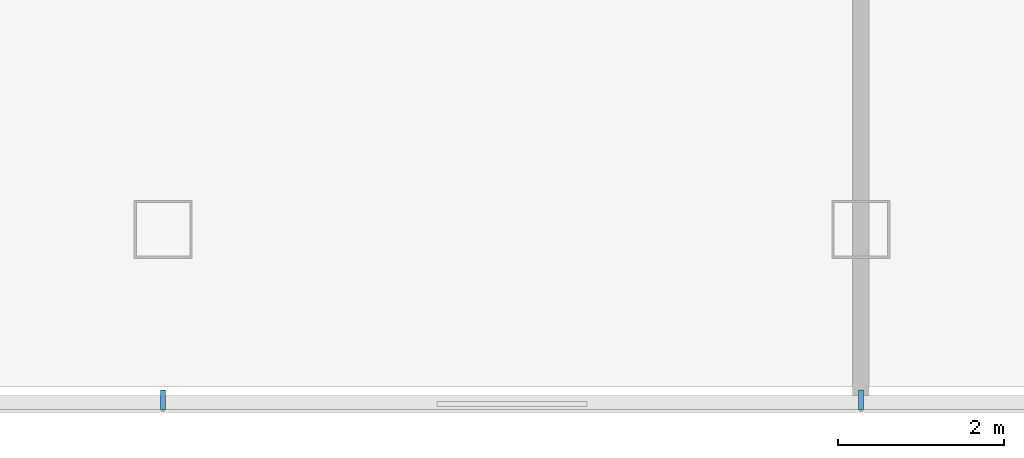
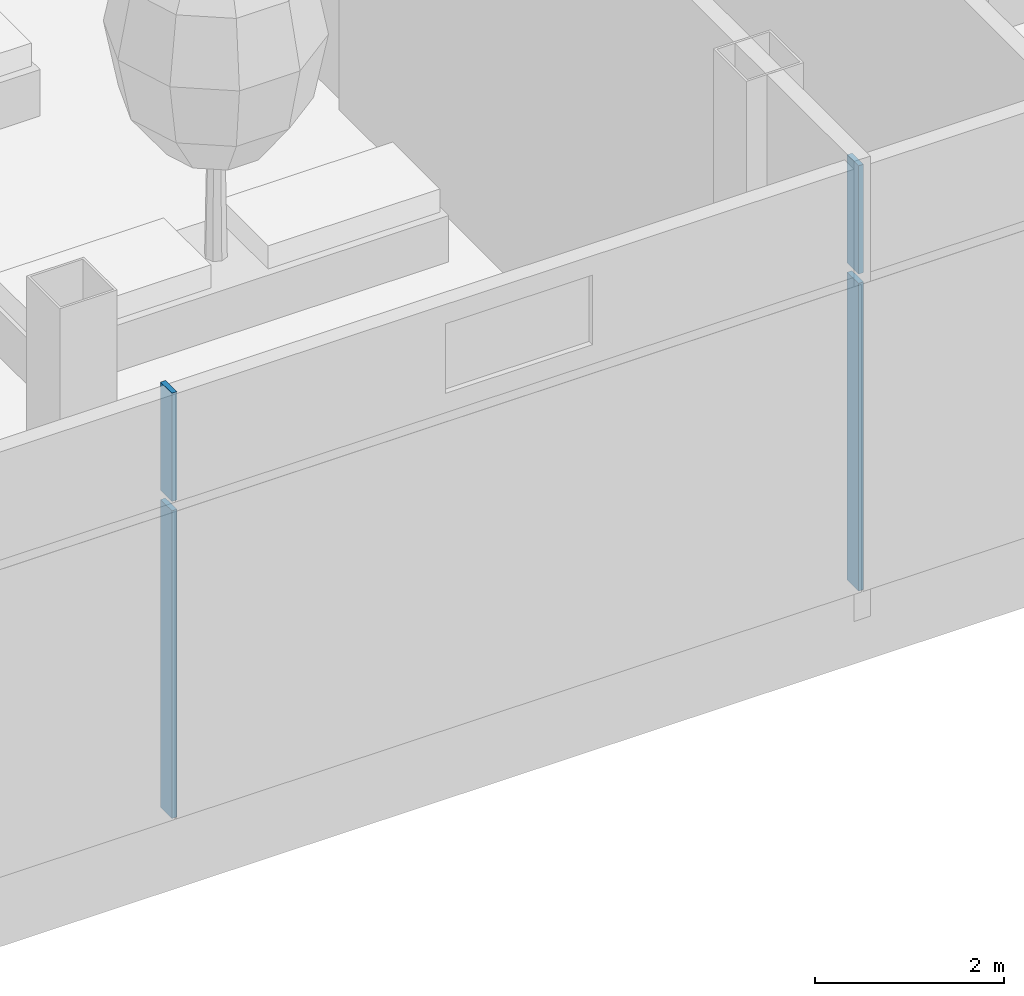
# One storey, part 5 of 43: 4 members, 1 element without a shape of its own.
"""IFC4 building model written with IfcOpenShell, lengths in metres."""

import ifcopenshell
import ifcopenshell.guid

model = None  # the IFC model being written
_history = None  # IfcOwnerHistory: only IFC2X3 demands one
_inside = {}  # id of a spatial element -> (the spatial element, [elements in it])
_under = {}  # id of a project, library or spatial element -> (it, [spatial elements below it])
_declared = {}  # id of a project -> (the project, [libraries it declares])
_typed = {}  # id of a type object -> (the type object, [elements of that type])
_made_of = {}  # id of a material, layer set ... -> (it, [elements and type objects made of it])


def new_model(schema):
    """Start an empty IFC model of exactly this schema.

    Asked for "IFC4X3", IfcOpenShell would pick the latest addendum, in which some entities
    have other attributes; the version numbers below select the first issue.
    IFC2X3 requires an IfcOwnerHistory on every rooted entity: one is made here for all.
    """
    global model, _history
    if schema == "IFC4X3":
        model = ifcopenshell.file(schema_version=(4, 3, 0, 0))
    else:
        model = ifcopenshell.file(schema=schema)
    _inside.clear()
    _under.clear()
    _declared.clear()
    _typed.clear()
    _made_of.clear()
    _history = None
    if model.schema == "IFC2X3":
        org = make("IfcOrganization", Name="unknown")
        user = make(
            "IfcPersonAndOrganization",
            ThePerson=make("IfcPerson", FamilyName="unknown"),
            TheOrganization=org,
        )
        app = make(
            "IfcApplication",
            ApplicationDeveloper=org,
            Version="unknown",
            ApplicationFullName="unknown",
            ApplicationIdentifier="unknown",
        )
        _history = make(
            "IfcOwnerHistory",
            OwningUser=user,
            OwningApplication=app,
            ChangeAction="ADDED",
            CreationDate=0,
        )
    return model


def make(cls, **values):
    """One entity of the class cls with the attributes given. An attribute that is None is left unset."""
    return model.create_entity(
        cls, **{name: value for name, value in values.items() if value is not None}
    )


def rooted(cls, **values):
    """An entity with a GlobalId (a new one), such as an element, a storey or a relation."""
    return make(cls, GlobalId=ifcopenshell.guid.new(), OwnerHistory=_history, **values)


def si_unit(unit_type, name, prefix=None):
    """IfcSIUnit, for example si_unit("LENGTHUNIT", "METRE", prefix="MILLI")."""
    return make("IfcSIUnit", UnitType=unit_type, Prefix=prefix, Name=name)


def assignment(units):
    """IfcUnitAssignment: the units of a project."""
    return None if units is None else make("IfcUnitAssignment", Units=units)


def point(xyz):
    """IfcCartesianPoint."""
    return None if xyz is None else make("IfcCartesianPoint", Coordinates=xyz)


def direction(xyz):
    """IfcDirection."""
    return None if xyz is None else make("IfcDirection", DirectionRatios=xyz)


def frame(location, z_axis=None, x_axis=None):
    """IfcAxis2Placement3D, a coordinate frame: its origin and axes. An axis left out is left unset."""
    return make(
        "IfcAxis2Placement3D",
        Location=point(location),
        Axis=direction(z_axis),
        RefDirection=direction(x_axis),
    )


def frame_2d(location, x_axis=None):
    """IfcAxis2Placement2D, a coordinate frame in the plane: its origin and x axis."""
    return make(
        "IfcAxis2Placement2D", Location=point(location), RefDirection=direction(x_axis)
    )


def origin():
    """The frame at (0, 0, 0) with its axes left unset."""
    return frame((0.0, 0.0, 0.0))


def origin_2d():
    """The frame at (0, 0) in the plane with its x axis left unset."""
    return frame_2d((0.0, 0.0))


def place(relative_to, where):
    """IfcLocalPlacement: puts the frame where relative to a parent placement (None: the world)."""
    return make(
        "IfcLocalPlacement", PlacementRelTo=relative_to, RelativePlacement=where
    )


def context(
    kind, dimensions, precision=None, world=None, true_north=None, identifier=None
):
    """IfcGeometricRepresentationContext, for example the 3D "Model" context."""
    return make(
        "IfcGeometricRepresentationContext",
        ContextIdentifier=identifier,
        ContextType=kind,
        CoordinateSpaceDimension=dimensions,
        Precision=precision,
        WorldCoordinateSystem=world,
        TrueNorth=true_north,
    )


def subcontext(parent, identifier, kind, view, scale=None):
    """IfcGeometricRepresentationSubContext, for example "Body" below "Model"."""
    return make(
        "IfcGeometricRepresentationSubContext",
        ContextIdentifier=identifier,
        ContextType=kind,
        ParentContext=parent,
        TargetScale=scale,
        TargetView=view,
    )


def project(units=None, contexts=None):
    """IfcProject with its units and contexts."""
    return rooted(
        "IfcProject",
        Name="project",
        RepresentationContexts=contexts,
        UnitsInContext=assignment(units),
    )


def spatial(cls, under=None, at=None, **own):
    """A site, building, storey or space (cls), placed at a placement, below another one or the project."""
    s = rooted(cls, ObjectPlacement=at, **own)
    if under is not None:
        _under.setdefault(under.id(), (under, []))[1].append(s)
    return s


def profile(cls, at=None, kind="AREA", **sizes):
    """A parametric profile (cls). Its sizes go by their IFC names, for example OverallWidth=200.0."""
    return make(cls, ProfileType=kind, Position=at, **sizes)


def rectangle(**sizes):
    """IfcRectangleProfileDef."""
    return profile("IfcRectangleProfileDef", **sizes)


def extrude(swept, where, along, depth):
    """IfcExtrudedAreaSolid: the profile swept, set in the frame where, extruded along a direction by depth."""
    return make(
        "IfcExtrudedAreaSolid",
        SweptArea=swept,
        Position=where,
        ExtrudedDirection=direction(along),
        Depth=depth,
    )


def shape(context_of_items, identifier, shape_type, items):
    """IfcShapeRepresentation: the items that make up one representation, for example the "Body"."""
    return make(
        "IfcShapeRepresentation",
        ContextOfItems=context_of_items,
        RepresentationIdentifier=identifier,
        RepresentationType=shape_type,
        Items=items,
    )


def material(Name=None, Category=None):
    """IfcMaterial."""
    return make("IfcMaterial", Name=Name, Category=Category)


def layer(
    of_material, thickness, ventilated=None, Name=None, Category=None, Priority=None
):
    """IfcMaterialLayer: one layer of a wall or slab, of a material (None: an air gap)."""
    return make(
        "IfcMaterialLayer",
        Material=of_material,
        LayerThickness=thickness,
        IsVentilated=ventilated,
        Name=Name,
        Category=Category,
        Priority=Priority,
    )


def layer_set(layers, Name=None):
    """IfcMaterialLayerSet."""
    return make("IfcMaterialLayerSet", MaterialLayers=layers, LayerSetName=Name)


def material_profile(
    of_material, cross_section, Name=None, Category=None, Priority=None
):
    """IfcMaterialProfile: a cross section and its material."""
    return make(
        "IfcMaterialProfile",
        Name=Name,
        Material=of_material,
        Profile=cross_section,
        Priority=Priority,
        Category=Category,
    )


def profile_set(profiles, Name=None, composite=None):
    """IfcMaterialProfileSet."""
    return make(
        "IfcMaterialProfileSet",
        Name=Name,
        MaterialProfiles=profiles,
        CompositeProfile=composite,
    )


def made_of(thing, what):
    """Note that an element or type object is made of a material, layer set ...; save() writes the relation."""
    if what is not None:
        _made_of.setdefault(what.id(), (what, []))[1].append(thing)
    return thing


def type_object(cls, material=None, **own):
    """A type object (cls), such as IfcWallType, which elements share."""
    return made_of(rooted(cls, **own), material)


def element(
    cls,
    number,
    at=None,
    inside=None,
    cuts=None,
    type_object=None,
    material=None,
    context=None,
    identifier="Body",
    shape_type=None,
    held_by="IfcProductDefinitionShape",
    body=None,
    shapes=None,
    **own,
):
    """One element of the class cls, such as IfcWall. Its Tag is "e" and its number.

    at: its placement. inside: the storey or other place that contains it. cuts: it is an
    opening in that element (IfcRelVoidsElement). A single representation is given by context,
    identifier, shape_type and body (its items); several are given by shapes. held_by: the class
    of the entity that holds the representations. save() writes the other relations.
    """
    e = rooted(cls, Tag="e%d" % number, ObjectPlacement=at, **own)
    if body is not None:
        shapes = [shape(context, identifier, shape_type, body)]
    if shapes is not None:
        e.Representation = make(held_by, Representations=shapes)
    if inside is not None:
        _inside.setdefault(inside.id(), (inside, []))[1].append(e)
    if cuts is not None:
        rooted(
            "IfcRelVoidsElement", RelatingBuildingElement=cuts, RelatedOpeningElement=e
        )
    if type_object is not None:
        _typed.setdefault(type_object.id(), (type_object, []))[1].append(e)
    return made_of(e, material)


def aggregate(whole, parts):
    """IfcRelAggregates: a whole, such as a stair, and the parts it consists of."""
    return rooted("IfcRelAggregates", RelatingObject=whole, RelatedObjects=parts)


def save(model, path):
    """Write the relations noted so far, then the file.

    IfcRelAggregates (storeys below a building ...), IfcRelContainedInSpatialStructure (elements
    in a storey), IfcRelDefinesByType, IfcRelAssociatesMaterial and IfcRelDeclares: one each for
    every whole, place, type object, material and project.
    """
    for whole, parts in _under.values():
        aggregate(whole, parts)
    for where, things in _inside.values():
        rooted(
            "IfcRelContainedInSpatialStructure",
            RelatedElements=things,
            RelatingStructure=where,
        )
    for kind, things in _typed.values():
        rooted("IfcRelDefinesByType", RelatedObjects=things, RelatingType=kind)
    for what, things in _made_of.values():
        rooted("IfcRelAssociatesMaterial", RelatedObjects=things, RelatingMaterial=what)
    for by, libraries in _declared.values():
        rooted("IfcRelDeclares", RelatingContext=by, RelatedDefinitions=libraries)
    model.write(path)


model = new_model("IFC4")

# Units and contexts
model_context = context("Model", 3, precision=1e-05, world=origin(), true_north=direction((0.0, 1.0)))
body_context = subcontext(model_context, "Body", "Model", "MODEL_VIEW")
ifc_project = project(units=[si_unit("LENGTHUNIT", "METRE"), si_unit("AREAUNIT", "SQUARE_METRE"), si_unit("VOLUMEUNIT", "CUBIC_METRE"), si_unit("PLANEANGLEUNIT", "RADIAN"), si_unit("MASSUNIT", "GRAM", prefix="KILO")], contexts=[model_context])

# Site, building, storey
site_placement = place(None, origin())
site = spatial("IfcSite", under=ifc_project, at=site_placement, CompositionType="ELEMENT")
building_placement = place(site_placement, origin())
building = spatial("IfcBuilding", under=site, at=building_placement, Name="Hakoniwa Tower and Hamabe Station Hall", CompositionType="ELEMENT")
storey_placement = place(building_placement, frame((0.0, 0.0, 124.60009765625)))
storey = spatial("IfcBuildingStorey", under=building, at=storey_placement, Name="L35", CompositionType="ELEMENT", Elevation=124.60009765625)

# Curtain wall, members
ifc_material_1 = material(Name="Dark low-e laminated glass", Category="glass")
ifc_layer = layer(ifc_material_1, 0.199951171875)
ifc_layer_set = layer_set([ifc_layer], Name="CW-2 SKY GARDEN")
curtain_wall_type = type_object("IfcCurtainWallType", Name="CW-2 SKY GARDEN", PredefinedType="NOTDEFINED", material=ifc_layer_set)
curtain_wall_placement = place(storey_placement, origin())
curtain_wall = element("IfcCurtainWall", 1, at=curtain_wall_placement, inside=storey, type_object=curtain_wall_type, Name="CW-2 curtain wall", PredefinedType="NOTDEFINED")
ifc_material_2 = material(Name="Aluminium 6063-T5 black anodised", Category="aluminium")
ifc_material_profile = material_profile(ifc_material_2, rectangle(XDim=0.06005859375, YDim=0.239990234375, at=origin_2d()), Name="CW-2 MULLION 60X240")
ifc_profile_set = profile_set([ifc_material_profile], Name="Aluminium 6063-T5 black anodised")
member_type = type_object("IfcMemberType", Name="CW-2 MULLION 60X240", PredefinedType="MULLION", material=ifc_profile_set)
member_1_placement = place(storey_placement, frame((8.39990234375, -19.152099609375, 0.349853515625), z_axis=(0.0, 0.0, 1.0), x_axis=(1.0, 0.0, 0.0)))
member_1 = element("IfcMember", 2, at=member_1_placement, type_object=member_type, Name="CW-2 mullion", PredefinedType="MULLION", context=body_context, shape_type="SweptSolid", body=[
    extrude(rectangle(XDim=0.06005859375, YDim=0.239990234375, at=origin_2d()), origin(), (0.0, 0.0, 1.0), 3.97998046875),
])
member_2_placement = place(storey_placement, frame((8.39990234375, -19.152099609375, 4.449951171875), z_axis=(0.0, 0.0, 1.0), x_axis=(1.0, 0.0, 0.0)))
member_2 = element("IfcMember", 3, at=member_2_placement, type_object=member_type, Name="CW-2 mullion", PredefinedType="MULLION", context=body_context, shape_type="SweptSolid", body=[
    extrude(rectangle(XDim=0.06005859375, YDim=0.239990234375, at=origin_2d()), origin(), (0.0, 0.0, 1.0), 1.39990234375),
])
member_3_placement = place(storey_placement, frame((16.800048828125, -19.152099609375, 0.349853515625), z_axis=(0.0, 0.0, 1.0), x_axis=(1.0, 0.0, 0.0)))
member_3 = element("IfcMember", 4, at=member_3_placement, type_object=member_type, Name="CW-2 mullion", PredefinedType="MULLION", context=body_context, shape_type="SweptSolid", body=[
    extrude(rectangle(XDim=0.06005859375, YDim=0.239990234375, at=origin_2d()), origin(), (0.0, 0.0, 1.0), 3.97998046875),
])
member_4_placement = place(storey_placement, frame((16.800048828125, -19.152099609375, 4.449951171875), z_axis=(0.0, 0.0, 1.0), x_axis=(1.0, 0.0, 0.0)))
member_4 = element("IfcMember", 5, at=member_4_placement, type_object=member_type, Name="CW-2 mullion", PredefinedType="MULLION", context=body_context, shape_type="SweptSolid", body=[
    extrude(rectangle(XDim=0.06005859375, YDim=0.239990234375, at=origin_2d()), origin(), (0.0, 0.0, 1.0), 1.39990234375),
])
aggregate(curtain_wall, [member_1, member_2, member_3, member_4])

save(model, "model.ifc")
